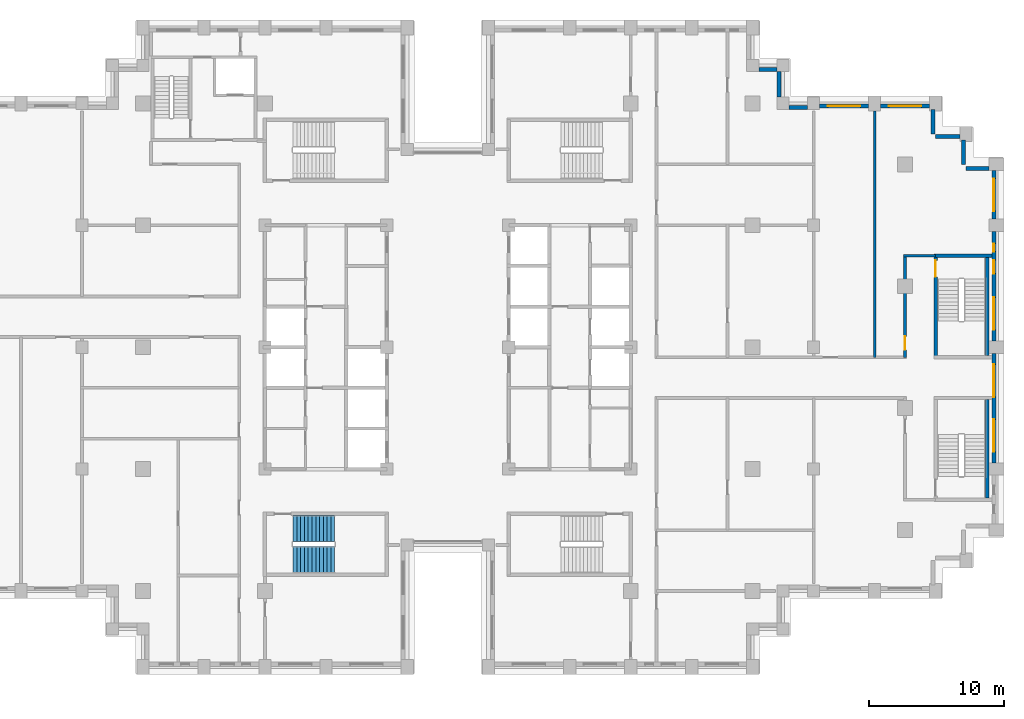
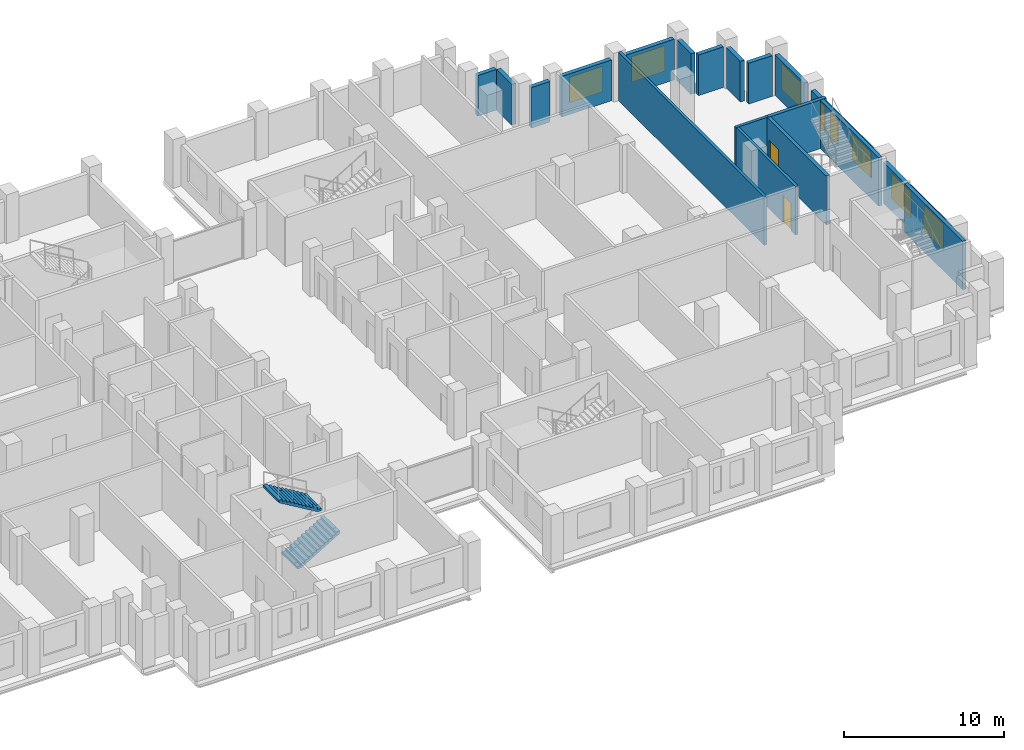
# One storey, part 12 of 15: 19 walls, 8 windows, 2 doors, 2 stair flights, 10 openings, 1 element without a shape of its own.
"""IFC4 building model written with IfcOpenShell, lengths in metres."""

from ifc_helpers import new_model, si_unit, direction, frame, frame_2d, origin, place, context, subcontext, project, spatial, polyline, rectangle, outline, extrude, material, layer, layer_set, type_object, element, fill, aggregate, save


model = new_model("IFC4")

# Units and contexts
model_context = context("Model", 3, precision=1e-05, world=origin(), true_north=direction((0.0, 1.0)))
body_context = subcontext(model_context, "Body", "Model", "MODEL_VIEW")
ifc_project = project(units=[si_unit("LENGTHUNIT", "METRE"), si_unit("AREAUNIT", "SQUARE_METRE"), si_unit("VOLUMEUNIT", "CUBIC_METRE"), si_unit("PLANEANGLEUNIT", "RADIAN"), si_unit("MASSUNIT", "GRAM", prefix="KILO")], contexts=[model_context])

# Site, building, storey
site_placement = place(None, origin())
site = spatial("IfcSite", under=ifc_project, at=site_placement, CompositionType="ELEMENT")
building_placement = place(site_placement, origin())
building = spatial("IfcBuilding", under=site, at=building_placement, Name="Corbelhall Arena Tower", CompositionType="ELEMENT")
storey_placement = place(building_placement, frame((0.0, 0.0, 134.0)))
storey = spatial("IfcBuildingStorey", under=building, at=storey_placement, Name="L25", CompositionType="ELEMENT", Elevation=134.0)

# Walls
ifc_material_1 = material(Name="Precast concrete C40/50 with granite facing", Category="masonry")
ifc_layer_1 = layer(ifc_material_1, 0.300048828125)
ifc_layer_set_1 = layer_set([ifc_layer_1], Name="EV-IW1 Infill panel 300")
wall_type_1 = type_object("IfcWallType", Name="EV-IW1 Infill panel 300", PredefinedType="SOLIDWALL", material=ifc_layer_set_1)
wall_1_placement = place(storey_placement, frame((39.949951171875, 13.199951171875, 0.0), z_axis=(0.0, 0.0, 1.0), x_axis=(-1.0, 0.0, 0.0)))
element("IfcWall", 1, at=wall_1_placement, inside=storey, type_object=wall_type_1, Name="Infill panel IW1", PredefinedType="SOLIDWALL", context=body_context, shape_type="SweptSolid", body=[
    extrude(rectangle(XDim=1.699951171875, YDim=0.300048828125, at=frame_2d((0.85009765625, 0.0))), origin(), (0.0, 0.0, 1.0), 3.10009765625),
])
for number, where, z_axis, x_axis, name in (
    (2, (38.050048828125, 15.300048828125, 0.0), (0.0, 0.0, 1.0), (0.0, -1.0, 0.0), "Infill panel IW1"),
    (3, (37.800048828125, 15.550048828125, 0.0), (0.0, 0.0, 1.0), (-1.0, 0.0, 0.0), "Infill panel IW1"),
    (4, (35.800048828125, 17.550048828125, 0.0), (0.0, 0.0, 1.0), (0.0, -1.0, 0.0), "Infill panel IW1"),
):
    element("IfcWall", number, at=place(storey_placement, frame(where, z_axis=z_axis, x_axis=x_axis)), inside=storey, type_object=wall_type_1, Name=name, PredefinedType="SOLIDWALL", context=body_context, shape_type="SweptSolid", body=[
        extrude(rectangle(XDim=1.800048828125, YDim=0.300048828125, at=frame_2d((0.89990234375, 0.0))), origin(), (0.0, 0.0, 1.0), 3.10009765625),
    ])

# Wall, openings, windows
wall_2_placement = place(storey_placement, frame((40.300048828125, -8.550048828125, 0.0), z_axis=(0.0, 0.0, 1.0), x_axis=(0.0, 1.0, 0.0)))
wall_2 = element("IfcWall", 5, at=wall_2_placement, inside=storey, type_object=wall_type_1, Name="Infill panel IW1", PredefinedType="SOLIDWALL", context=body_context, shape_type="SweptSolid", body=[
    extrude(rectangle(XDim=8.10009765625, YDim=0.300048828125, at=frame_2d((4.050048828125, 0.0))), origin(), (0.0, 0.0, 1.0), 3.10009765625),
])
opening_1_placement = place(wall_2_placement, frame((0.824951171875, 0.0, 0.800048828125)))
opening_1 = element("IfcOpeningElement", 6, at=opening_1_placement, cuts=wall_2, Name="Opening WN1", PredefinedType="OPENING", context=body_context, shape_type="SweptSolid", body=[
    extrude(rectangle(XDim=2.39990234375, YDim=1.949951171875, at=frame_2d((1.199951171875, 0.97509765625))), frame((0.0, 0.14990234375, 0.0), z_axis=(0.0, -1.0, 0.0), x_axis=(1.0, 0.0, 0.0)), (0.0, 0.0, 1.0), 0.300048828125),
])
opening_2_placement = place(wall_2_placement, frame((4.875, 0.0, 0.800048828125)))
opening_2 = element("IfcOpeningElement", 7, at=opening_2_placement, cuts=wall_2, Name="Opening WN1", PredefinedType="OPENING", context=body_context, shape_type="SweptSolid", body=[
    extrude(rectangle(XDim=2.39990234375, YDim=1.949951171875, at=frame_2d((1.199951171875, 0.97509765625))), frame((0.0, 0.14990234375, 0.0), z_axis=(0.0, -1.0, 0.0), x_axis=(1.0, 0.0, 0.0)), (0.0, 0.0, 1.0), 0.300048828125),
])
ifc_material_2 = material(Name="Aluminium black anodised", Category="aluminium")
window_type_1 = type_object("IfcWindowType", Name="EV-WN1 Office window", PartitioningType="SINGLE_PANEL", PredefinedType="WINDOW", material=ifc_material_2)
window_1_placement = place(opening_1_placement, origin())
window_1 = element("IfcWindow", 8, at=window_1_placement, inside=storey, type_object=window_type_1, Name="Window WN1", OverallHeight=1.949951171875, OverallWidth=2.39990234375, PartitioningType="SINGLE_PANEL", PredefinedType="WINDOW", context=body_context, shape_type="SweptSolid", body=[
    extrude(rectangle(XDim=2.39990234375, YDim=1.949951171875, at=frame_2d((1.199951171875, 0.97509765625))), frame((0.0, 0.030029296875, 0.0), z_axis=(0.0, -1.0, 0.0), x_axis=(1.0, 0.0, 0.0)), (0.0, 0.0, 1.0), 0.06005859375),
])
fill(opening_1, window_1)
window_2_placement = place(opening_2_placement, origin())
window_2 = element("IfcWindow", 9, at=window_2_placement, inside=storey, type_object=window_type_1, Name="Window WN1", OverallHeight=1.949951171875, OverallWidth=2.39990234375, PartitioningType="SINGLE_PANEL", PredefinedType="WINDOW", context=body_context, shape_type="SweptSolid", body=[
    extrude(rectangle(XDim=2.39990234375, YDim=1.949951171875, at=frame_2d((1.199951171875, 0.97509765625))), frame((0.0, 0.030029296875, 0.0), z_axis=(0.0, -1.0, 0.0), x_axis=(1.0, 0.0, 0.0)), (0.0, 0.0, 1.0), 0.06005859375),
])
fill(opening_2, window_2)

wall_3_placement = place(storey_placement, frame((40.300048828125, 0.449951171875, 0.0), z_axis=(0.0, 0.0, 1.0), x_axis=(0.0, 1.0, 0.0)))
wall_3 = element("IfcWall", 10, at=wall_3_placement, inside=storey, type_object=wall_type_1, Name="Infill panel IW1", PredefinedType="SOLIDWALL", context=body_context, shape_type="SweptSolid", body=[
    extrude(rectangle(XDim=8.10009765625, YDim=0.300048828125, at=frame_2d((4.050048828125, 0.0))), origin(), (0.0, 0.0, 1.0), 3.10009765625),
])
opening_3_placement = place(wall_3_placement, frame((0.824951171875, 0.0, 0.800048828125)))
opening_3 = element("IfcOpeningElement", 11, at=opening_3_placement, cuts=wall_3, Name="Opening WN1", PredefinedType="OPENING", context=body_context, shape_type="SweptSolid", body=[
    extrude(rectangle(XDim=2.39990234375, YDim=1.949951171875, at=frame_2d((1.199951171875, 0.97509765625))), frame((0.0, 0.14990234375, 0.0), z_axis=(0.0, -1.0, 0.0), x_axis=(1.0, 0.0, 0.0)), (0.0, 0.0, 1.0), 0.300048828125),
])
opening_4_placement = place(wall_3_placement, frame((4.97509765625, 0.0, 0.800048828125)))
opening_4 = element("IfcOpeningElement", 12, at=opening_4_placement, cuts=wall_3, Name="Opening WN6", PredefinedType="OPENING", context=body_context, shape_type="SweptSolid", body=[
    extrude(rectangle(XDim=1.0, YDim=1.949951171875, at=frame_2d((0.5, 0.97509765625))), frame((0.0, 0.14990234375, 0.0), z_axis=(0.0, -1.0, 0.0), x_axis=(1.0, 0.0, 0.0)), (0.0, 0.0, 1.0), 0.300048828125),
])
opening_5_placement = place(wall_3_placement, frame((6.60009765625, 0.0, 0.800048828125)))
opening_5 = element("IfcOpeningElement", 13, at=opening_5_placement, cuts=wall_3, Name="Opening WN5", PredefinedType="OPENING", context=body_context, shape_type="SweptSolid", body=[
    extrude(rectangle(XDim=0.60009765625, YDim=1.949951171875, at=frame_2d((0.300048828125, 0.97509765625))), frame((0.0, 0.14990234375, 0.0), z_axis=(0.0, -1.0, 0.0), x_axis=(1.0, 0.0, 0.0)), (0.0, 0.0, 1.0), 0.300048828125),
])
window_3_placement = place(opening_3_placement, origin())
window_3 = element("IfcWindow", 14, at=window_3_placement, inside=storey, type_object=window_type_1, Name="Window WN1", OverallHeight=1.949951171875, OverallWidth=2.39990234375, PartitioningType="SINGLE_PANEL", PredefinedType="WINDOW", context=body_context, shape_type="SweptSolid", body=[
    extrude(rectangle(XDim=2.39990234375, YDim=1.949951171875, at=frame_2d((1.199951171875, 0.97509765625))), frame((0.0, 0.030029296875, 0.0), z_axis=(0.0, -1.0, 0.0), x_axis=(1.0, 0.0, 0.0)), (0.0, 0.0, 1.0), 0.06005859375),
])
fill(opening_3, window_3)
window_type_2 = type_object("IfcWindowType", Name="EV-WN5 Office window 600", PartitioningType="SINGLE_PANEL", PredefinedType="WINDOW", material=ifc_material_2)
window_4_placement = place(opening_5_placement, origin())
window_4 = element("IfcWindow", 15, at=window_4_placement, inside=storey, type_object=window_type_2, Name="Window WN5", OverallHeight=1.949951171875, OverallWidth=0.60009765625, PartitioningType="SINGLE_PANEL", PredefinedType="WINDOW", context=body_context, shape_type="SweptSolid", body=[
    extrude(rectangle(XDim=0.60009765625, YDim=1.949951171875, at=frame_2d((0.300048828125, 0.97509765625))), frame((0.0, 0.030029296875, 0.0), z_axis=(0.0, -1.0, 0.0), x_axis=(1.0, 0.0, 0.0)), (0.0, 0.0, 1.0), 0.06005859375),
])
fill(opening_5, window_4)
window_type_3 = type_object("IfcWindowType", Name="EV-WN6 Office window 1000", PartitioningType="SINGLE_PANEL", PredefinedType="WINDOW", material=ifc_material_2)
window_5_placement = place(opening_4_placement, origin())
window_5 = element("IfcWindow", 16, at=window_5_placement, inside=storey, type_object=window_type_3, Name="Window WN6", OverallHeight=1.949951171875, OverallWidth=1.0, PartitioningType="SINGLE_PANEL", PredefinedType="WINDOW", context=body_context, shape_type="SweptSolid", body=[
    extrude(rectangle(XDim=1.0, YDim=1.949951171875, at=frame_2d((0.5, 0.97509765625))), frame((0.0, 0.030029296875, 0.0), z_axis=(0.0, -1.0, 0.0), x_axis=(1.0, 0.0, 0.0)), (0.0, 0.0, 1.0), 0.06005859375),
])
fill(opening_4, window_5)

# Wall, opening, window
wall_4_placement = place(storey_placement, frame((40.300048828125, 9.449951171875, 0.0), z_axis=(0.0, 0.0, 1.0), x_axis=(0.0, 1.0, 0.0)))
wall_4 = element("IfcWall", 17, at=wall_4_placement, inside=storey, type_object=wall_type_1, Name="Infill panel IW1", PredefinedType="SOLIDWALL", context=body_context, shape_type="SweptSolid", body=[
    extrude(rectangle(XDim=3.60009765625, YDim=0.300048828125, at=frame_2d((1.800048828125, 0.0))), origin(), (0.0, 0.0, 1.0), 3.10009765625),
])
opening_6_placement = place(wall_4_placement, frame((0.60009765625, 0.0, 0.800048828125)))
opening_6 = element("IfcOpeningElement", 18, at=opening_6_placement, cuts=wall_4, Name="Opening WN1", PredefinedType="OPENING", context=body_context, shape_type="SweptSolid", body=[
    extrude(rectangle(XDim=2.39990234375, YDim=1.949951171875, at=frame_2d((1.199951171875, 0.97509765625))), frame((0.0, 0.14990234375, 0.0), z_axis=(0.0, -1.0, 0.0), x_axis=(1.0, 0.0, 0.0)), (0.0, 0.0, 1.0), 0.300048828125),
])
window_6_placement = place(opening_6_placement, origin())
window_6 = element("IfcWindow", 19, at=window_6_placement, inside=storey, type_object=window_type_1, Name="Window WN1", OverallHeight=1.949951171875, OverallWidth=2.39990234375, PartitioningType="SINGLE_PANEL", PredefinedType="WINDOW", context=body_context, shape_type="SweptSolid", body=[
    extrude(rectangle(XDim=2.39990234375, YDim=1.949951171875, at=frame_2d((1.199951171875, 0.97509765625))), frame((0.0, 0.030029296875, 0.0), z_axis=(0.0, -1.0, 0.0), x_axis=(1.0, 0.0, 0.0)), (0.0, 0.0, 1.0), 0.06005859375),
])
fill(opening_6, window_6)

wall_5_placement = place(storey_placement, frame((35.550048828125, 17.800048828125, 0.0), z_axis=(0.0, 0.0, 1.0), x_axis=(-1.0, 0.0, 0.0)))
wall_5 = element("IfcWall", 20, at=wall_5_placement, inside=storey, type_object=wall_type_1, Name="Infill panel IW1", PredefinedType="SOLIDWALL", context=body_context, shape_type="SweptSolid", body=[
    extrude(rectangle(XDim=3.60009765625, YDim=0.300048828125, at=frame_2d((1.800048828125, 0.0))), origin(), (0.0, 0.0, 1.0), 3.10009765625),
])
opening_7_placement = place(wall_5_placement, frame((0.60009765625, 0.0, 0.800048828125)))
opening_7 = element("IfcOpeningElement", 21, at=opening_7_placement, cuts=wall_5, Name="Opening WN1", PredefinedType="OPENING", context=body_context, shape_type="SweptSolid", body=[
    extrude(rectangle(XDim=2.39990234375, YDim=1.949951171875, at=frame_2d((1.199951171875, 0.97509765625))), frame((0.0, 0.14990234375, 0.0), z_axis=(0.0, -1.0, 0.0), x_axis=(1.0, 0.0, 0.0)), (0.0, 0.0, 1.0), 0.300048828125),
])
window_7_placement = place(opening_7_placement, origin())
window_7 = element("IfcWindow", 22, at=window_7_placement, inside=storey, type_object=window_type_1, Name="Window WN1", OverallHeight=1.949951171875, OverallWidth=2.39990234375, PartitioningType="SINGLE_PANEL", PredefinedType="WINDOW", context=body_context, shape_type="SweptSolid", body=[
    extrude(rectangle(XDim=2.39990234375, YDim=1.949951171875, at=frame_2d((1.199951171875, 0.97509765625))), frame((0.0, 0.030029296875, 0.0), z_axis=(0.0, -1.0, 0.0), x_axis=(1.0, 0.0, 0.0)), (0.0, 0.0, 1.0), 0.06005859375),
])
fill(opening_7, window_7)

wall_6_placement = place(storey_placement, frame((31.050048828125, 17.800048828125, 0.0), z_axis=(0.0, 0.0, 1.0), x_axis=(-1.0, 0.0, 0.0)))
wall_6 = element("IfcWall", 23, at=wall_6_placement, inside=storey, type_object=wall_type_1, Name="Infill panel IW1", PredefinedType="SOLIDWALL", context=body_context, shape_type="SweptSolid", body=[
    extrude(rectangle(XDim=3.60009765625, YDim=0.300048828125, at=frame_2d((1.800048828125, 0.0))), origin(), (0.0, 0.0, 1.0), 3.10009765625),
])
opening_8_placement = place(wall_6_placement, frame((0.60009765625, 0.0, 0.800048828125)))
opening_8 = element("IfcOpeningElement", 24, at=opening_8_placement, cuts=wall_6, Name="Opening WN1", PredefinedType="OPENING", context=body_context, shape_type="SweptSolid", body=[
    extrude(rectangle(XDim=2.39990234375, YDim=1.949951171875, at=frame_2d((1.199951171875, 0.97509765625))), frame((0.0, 0.14990234375, 0.0), z_axis=(0.0, -1.0, 0.0), x_axis=(1.0, 0.0, 0.0)), (0.0, 0.0, 1.0), 0.300048828125),
])
window_8_placement = place(opening_8_placement, origin())
window_8 = element("IfcWindow", 25, at=window_8_placement, inside=storey, type_object=window_type_1, Name="Window WN1", OverallHeight=1.949951171875, OverallWidth=2.39990234375, PartitioningType="SINGLE_PANEL", PredefinedType="WINDOW", context=body_context, shape_type="SweptSolid", body=[
    extrude(rectangle(XDim=2.39990234375, YDim=1.949951171875, at=frame_2d((1.199951171875, 0.97509765625))), frame((0.0, 0.030029296875, 0.0), z_axis=(0.0, -1.0, 0.0), x_axis=(1.0, 0.0, 0.0)), (0.0, 0.0, 1.0), 0.06005859375),
])
fill(opening_8, window_8)

# Walls
wall_7_placement = place(storey_placement, frame((26.550048828125, 17.699951171875, 0.0), z_axis=(0.0, 0.0, 1.0), x_axis=(-1.0, 0.0, 0.0)))
element("IfcWall", 26, at=wall_7_placement, inside=storey, type_object=wall_type_1, Name="Infill panel IW1", PredefinedType="SOLIDWALL", context=body_context, shape_type="SweptSolid", body=[
    extrude(rectangle(XDim=1.35009765625, YDim=0.300048828125, at=frame_2d((0.675048828125, 0.0))), origin(), (0.0, 0.0, 1.0), 3.10009765625),
])
wall_8_placement = place(storey_placement, frame((24.449951171875, 18.449951171875, 0.0), z_axis=(0.0, 0.0, 1.0), x_axis=(0.0, 1.0, 0.0)))
element("IfcWall", 27, at=wall_8_placement, inside=storey, type_object=wall_type_1, Name="Infill panel IW1", PredefinedType="SOLIDWALL", context=body_context, shape_type="SweptSolid", body=[
    extrude(rectangle(XDim=1.900146484375, YDim=0.300048828125, at=frame_2d((0.9501953125, 0.0))), origin(), (0.0, 0.0, 1.0), 3.10009765625),
])
wall_9_placement = place(storey_placement, frame((24.300048828125, 20.5, 0.0), z_axis=(0.0, 0.0, 1.0), x_axis=(-1.0, 0.0, 0.0)))
element("IfcWall", 28, at=wall_9_placement, inside=storey, type_object=wall_type_1, Name="Infill panel IW1", PredefinedType="SOLIDWALL", context=body_context, shape_type="SweptSolid", body=[
    extrude(rectangle(XDim=1.35009765625, YDim=0.300048828125, at=frame_2d((0.675048828125, 0.0))), origin(), (0.0, 0.0, 1.0), 3.10009765625),
])
ifc_material_3 = material(Name="Gypsum board on steel stud, acoustic", Category="steel")
ifc_layer_2 = layer(ifc_material_3, 0.199951171875)
ifc_layer_set_2 = layer_set([ifc_layer_2], Name="IN-W-DM200")
wall_type_2 = type_object("IfcWallType", Name="IN-W-DM200", PredefinedType="PARTITIONING", material=ifc_layer_set_2)
wall_10_placement = place(storey_placement, frame((31.5, 17.449951171875, 0.0), z_axis=(0.0, 0.0, 1.0), x_axis=(0.0, -1.0, 0.0)))
element("IfcWall", 29, at=wall_10_placement, inside=storey, type_object=wall_type_2, Name="Partition 042", PredefinedType="PARTITIONING", context=body_context, shape_type="SweptSolid", body=[
    extrude(rectangle(XDim=18.199951171875, YDim=0.199951171875, at=frame_2d((9.10009765625, 0.0))), origin(), (0.0, 0.0, 1.0), 3.699951171875),
])
wall_11_placement = place(storey_placement, frame((33.64990234375, 6.75, 0.0), z_axis=(0.0, 0.0, 1.0), x_axis=(1.0, 0.0, 0.0)))
element("IfcWall", 30, at=wall_11_placement, inside=storey, type_object=wall_type_2, Name="Partition 043", PredefinedType="PARTITIONING", context=body_context, shape_type="SweptSolid", body=[
    extrude(rectangle(XDim=2.35009765625, YDim=0.199951171875, at=frame_2d((1.175048828125, 0.0))), origin(), (0.0, 0.0, 1.0), 3.699951171875),
])

# Wall, opening, door
wall_12_placement = place(storey_placement, frame((33.75, -0.75, 0.0), z_axis=(0.0, 0.0, 1.0), x_axis=(0.0, 1.0, 0.0)))
wall_12 = element("IfcWall", 31, at=wall_12_placement, inside=storey, type_object=wall_type_2, Name="Partition 045", PredefinedType="PARTITIONING", context=body_context, shape_type="SweptSolid", body=[
    extrude(rectangle(XDim=7.5, YDim=0.199951171875, at=frame_2d((3.75, 0.0))), origin(), (0.0, 0.0, 1.0), 3.699951171875),
])
opening_9_placement = place(wall_12_placement, frame((0.550048828125, 0.0, 0.0)))
opening_9 = element("IfcOpeningElement", 32, at=opening_9_placement, cuts=wall_12, Name="Opening 06047", PredefinedType="OPENING", context=body_context, shape_type="SweptSolid", body=[
    extrude(rectangle(XDim=1.0, YDim=2.10009765625, at=frame_2d((0.5, 1.050048828125))), frame((0.0, 0.10009765625, 0.0), z_axis=(0.0, -1.0, 0.0), x_axis=(1.0, 0.0, 0.0)), (0.0, 0.0, 1.0), 0.199951171875),
])
ifc_material_4 = material(Name="Steel door set", Category="steel")
door_type_1 = type_object("IfcDoorType", Name="IN-D-SW100", OperationType="NOTDEFINED", PredefinedType="DOOR", material=ifc_material_4)
door_1_placement = place(opening_9_placement, origin())
door_1 = element("IfcDoor", 33, at=door_1_placement, inside=storey, type_object=door_type_1, Name="Door 047", OperationType="SINGLE_SWING_RIGHT", OverallHeight=2.10009765625, OverallWidth=1.0, PredefinedType="DOOR", context=body_context, shape_type="SweptSolid", body=[
    extrude(rectangle(XDim=1.0, YDim=2.10009765625, at=frame_2d((0.5, 1.050048828125))), frame((0.0, 0.02490234375, 0.0), z_axis=(0.0, -1.0, 0.0), x_axis=(1.0, 0.0, 0.0)), (0.0, 0.0, 1.0), 0.050048828125),
])
fill(opening_9, door_1)

ifc_material_5 = material(Name="Concrete C40/50", Category="concrete")
ifc_layer_3 = layer(ifc_material_5, 0.25)
ifc_layer_set_3 = layer_set([ifc_layer_3], Name="IN-W-ST250")
wall_type_3 = type_object("IfcWallType", Name="IN-W-ST250", PredefinedType="SOLIDWALL", material=ifc_layer_set_3)
wall_13_placement = place(storey_placement, frame((36.0, -0.75, 0.0), z_axis=(0.0, 0.0, 1.0), x_axis=(0.0, 1.0, 0.0)))
wall_13 = element("IfcWall", 34, at=wall_13_placement, inside=storey, type_object=wall_type_3, Name="Shaft wall 110", PredefinedType="SOLIDWALL", context=body_context, shape_type="SweptSolid", body=[
    extrude(rectangle(XDim=7.625, YDim=0.25, at=frame_2d((3.8125, 0.0))), origin(), (0.0, 0.0, 1.0), 3.699951171875),
])
opening_10_placement = place(wall_13_placement, frame((5.949951171875, 0.0, 0.0)))
opening_10 = element("IfcOpeningElement", 35, at=opening_10_placement, cuts=wall_13, Name="Opening 06022", PredefinedType="OPENING", context=body_context, shape_type="SweptSolid", body=[
    extrude(rectangle(XDim=1.199951171875, YDim=2.10009765625, at=frame_2d((0.60009765625, 1.050048828125))), frame((0.0, 0.125, 0.0), z_axis=(0.0, -1.0, 0.0), x_axis=(1.0, 0.0, 0.0)), (0.0, 0.0, 1.0), 0.25),
])
door_type_2 = type_object("IfcDoorType", Name="IN-D-ST120", OperationType="NOTDEFINED", PredefinedType="DOOR", material=ifc_material_4)
door_2_placement = place(opening_10_placement, origin())
door_2 = element("IfcDoor", 36, at=door_2_placement, inside=storey, type_object=door_type_2, Name="Door 022", OperationType="SINGLE_SWING_LEFT", OverallHeight=2.10009765625, OverallWidth=1.199951171875, PredefinedType="DOOR", context=body_context, shape_type="SweptSolid", body=[
    extrude(rectangle(XDim=1.199951171875, YDim=2.10009765625, at=frame_2d((0.60009765625, 1.050048828125))), frame((0.0, 0.02490234375, 0.0), z_axis=(0.0, -1.0, 0.0), x_axis=(1.0, 0.0, 0.0)), (0.0, 0.0, 1.0), 0.050048828125),
])
fill(opening_10, door_2)

# Walls
wall_14_placement = place(storey_placement, frame((36.0, 6.75, 0.0), z_axis=(0.0, 0.0, 1.0), x_axis=(1.0, 0.0, 0.0)))
element("IfcWall", 37, at=wall_14_placement, inside=storey, type_object=wall_type_3, Name="Shaft wall 111", PredefinedType="SOLIDWALL", context=body_context, shape_type="SweptSolid", body=[
    extrude(rectangle(XDim=4.14990234375, YDim=0.25, at=frame_2d((2.074951171875, 0.0))), origin(), (0.0, 0.0, 1.0), 3.699951171875),
])
for number, where, z_axis, x_axis, name in (
    (38, (39.824951171875, -11.125, 0.0), (0.0, 0.0, 1.0), (0.0, 1.0, 0.0), "Shaft wall SD1 facade side"),
    (39, (39.824951171875, -0.625, 0.0), (0.0, 0.0, 1.0), (0.0, 1.0, 0.0), "Shaft wall SD2 facade side"),
):
    element("IfcWall", number, at=place(storey_placement, frame(where, z_axis=z_axis, x_axis=x_axis)), inside=storey, type_object=wall_type_3, Name=name, PredefinedType="SOLIDWALL", context=body_context, shape_type="SweptSolid", body=[
        extrude(rectangle(XDim=7.25, YDim=0.25, at=frame_2d((3.625, 0.0))), origin(), (0.0, 0.0, 1.0), 3.699951171875),
    ])

# Stair, stair flights
stair_type = type_object("IfcStairType", Name="IN-ST-TOWER", PredefinedType="HALF_TURN_STAIR", material=ifc_material_5)
stair_placement = place(storey_placement, origin())
stair = element("IfcStair", 40, at=stair_placement, inside=storey, type_object=stair_type, Name="L25 Exit stair ST2", PredefinedType="HALF_TURN_STAIR")
stair_flight_type = type_object("IfcStairFlightType", Name="IN-SFL-RC", PredefinedType="STRAIGHT", material=ifc_material_5)
stair_flight_1_placement = place(storey_placement, frame((-11.425048828125, -15.699951171875, 0.0), z_axis=(0.0, 0.0, 1.0), x_axis=(1.0, 0.0, 0.0)))
stair_flight_1 = element("IfcStairFlight", 41, at=stair_flight_1_placement, type_object=stair_flight_type, Name="ST2 flight 1", NumberOfRisers=12, NumberOfTreads=11, PredefinedType="STRAIGHT", RiserHeight=0.166666667, TreadLength=0.28, context=body_context, shape_type="SweptSolid", body=[
    extrude(outline(polyline([(0.0, 0.0), (0.0, 0.166748046875), (0.280029296875, 0.166748046875), (0.280029296875, 0.333251953125), (0.56005859375, 0.333251953125), (0.56005859375, 0.5), (0.840087890625, 0.5), (0.840087890625, 0.666748046875), (1.1201171875, 0.666748046875), (1.1201171875, 0.833251953125), (1.39990234375, 0.833251953125), (1.39990234375, 1.0), (1.679931640625, 1.0), (1.679931640625, 1.166748046875), (1.9599609375, 1.166748046875), (1.9599609375, 1.333251953125), (2.239990234375, 1.333251953125), (2.239990234375, 1.5), (2.52001953125, 1.5), (2.52001953125, 1.666748046875), (2.800048828125, 1.666748046875), (2.800048828125, 1.833251953125), (3.080078125, 1.833251953125), (3.080078125, 2.0), (3.080078125, 1.658935546875), (0.29296875, 0.0), (0.0, 0.0)])), frame((0.0, 0.97509765625, 0.0), z_axis=(0.0, -1.0, 0.0), x_axis=(1.0, 0.0, 0.0)), (0.0, 0.0, 1.0), 0.449951171875),
    extrude(outline(polyline([(0.0, 0.0), (0.0, 0.166748046875), (0.280029296875, 0.166748046875), (0.280029296875, 0.333251953125), (0.56005859375, 0.333251953125), (0.56005859375, 0.5), (0.840087890625, 0.5), (0.840087890625, 0.666748046875), (1.1201171875, 0.666748046875), (1.1201171875, 0.833251953125), (1.39990234375, 0.833251953125), (1.39990234375, 1.0), (1.679931640625, 1.0), (1.679931640625, 1.166748046875), (1.9599609375, 1.166748046875), (1.9599609375, 1.333251953125), (2.239990234375, 1.333251953125), (2.239990234375, 1.5), (2.52001953125, 1.5), (2.52001953125, 1.666748046875), (2.800048828125, 1.666748046875), (2.800048828125, 1.833251953125), (3.080078125, 1.833251953125), (3.080078125, 2.0), (3.080078125, 1.658935546875), (0.29296875, 0.0), (0.0, 0.0)])), frame((0.0, 0.52099609375, 0.0), z_axis=(0.0, -1.0, 0.0), x_axis=(1.0, 0.0, 0.0)), (0.0, 0.0, 1.0), 1.0419921875),
    extrude(outline(polyline([(0.0, 0.0), (0.0, 0.166748046875), (0.280029296875, 0.166748046875), (0.280029296875, 0.333251953125), (0.56005859375, 0.333251953125), (0.56005859375, 0.5), (0.840087890625, 0.5), (0.840087890625, 0.666748046875), (1.1201171875, 0.666748046875), (1.1201171875, 0.833251953125), (1.39990234375, 0.833251953125), (1.39990234375, 1.0), (1.679931640625, 1.0), (1.679931640625, 1.166748046875), (1.9599609375, 1.166748046875), (1.9599609375, 1.333251953125), (2.239990234375, 1.333251953125), (2.239990234375, 1.5), (2.52001953125, 1.5), (2.52001953125, 1.666748046875), (2.800048828125, 1.666748046875), (2.800048828125, 1.833251953125), (3.080078125, 1.833251953125), (3.080078125, 2.0), (3.080078125, 1.658935546875), (0.29296875, 0.0), (0.0, 0.0)])), frame((0.0, -0.52490234375, 0.0), z_axis=(0.0, -1.0, 0.0), x_axis=(1.0, 0.0, 0.0)), (0.0, 0.0, 1.0), 0.449951171875),
])
stair_flight_2_placement = place(storey_placement, frame((-8.344970703125, -13.39990234375, 2.0), z_axis=(0.0, 0.0, 1.0), x_axis=(-1.0, 0.0, 0.0)))
stair_flight_2 = element("IfcStairFlight", 42, at=stair_flight_2_placement, type_object=stair_flight_type, Name="ST2 flight 2", NumberOfRisers=12, NumberOfTreads=11, PredefinedType="STRAIGHT", RiserHeight=0.166666667, TreadLength=0.28, context=body_context, shape_type="SweptSolid", body=[
    extrude(outline(polyline([(0.0, 0.0), (0.0, 0.166748046875), (0.280029296875, 0.166748046875), (0.280029296875, 0.333251953125), (0.56005859375, 0.333251953125), (0.56005859375, 0.5), (0.840087890625, 0.5), (0.840087890625, 0.666748046875), (1.1201171875, 0.666748046875), (1.1201171875, 0.833251953125), (1.39990234375, 0.833251953125), (1.39990234375, 1.0), (1.679931640625, 1.0), (1.679931640625, 1.166748046875), (1.9599609375, 1.166748046875), (1.9599609375, 1.333251953125), (2.239990234375, 1.333251953125), (2.239990234375, 1.5), (2.52001953125, 1.5), (2.52001953125, 1.666748046875), (2.800048828125, 1.666748046875), (2.800048828125, 1.833251953125), (3.080078125, 1.833251953125), (3.080078125, 2.0), (3.080078125, 1.658935546875), (0.29296875, 0.0), (0.0, 0.0)])), frame((0.0, 0.97509765625, 0.0), z_axis=(0.0, -1.0, 0.0), x_axis=(1.0, 0.0, 0.0)), (0.0, 0.0, 1.0), 0.449951171875),
    extrude(outline(polyline([(0.0, 0.0), (0.0, 0.166748046875), (0.280029296875, 0.166748046875), (0.280029296875, 0.333251953125), (0.56005859375, 0.333251953125), (0.56005859375, 0.5), (0.840087890625, 0.5), (0.840087890625, 0.666748046875), (1.1201171875, 0.666748046875), (1.1201171875, 0.833251953125), (1.39990234375, 0.833251953125), (1.39990234375, 1.0), (1.679931640625, 1.0), (1.679931640625, 1.166748046875), (1.9599609375, 1.166748046875), (1.9599609375, 1.333251953125), (2.239990234375, 1.333251953125), (2.239990234375, 1.5), (2.52001953125, 1.5), (2.52001953125, 1.666748046875), (2.800048828125, 1.666748046875), (2.800048828125, 1.833251953125), (3.080078125, 1.833251953125), (3.080078125, 2.0), (3.080078125, 1.658935546875), (0.29296875, 0.0), (0.0, 0.0)])), frame((0.0, 0.52099609375, 0.0), z_axis=(0.0, -1.0, 0.0), x_axis=(1.0, 0.0, 0.0)), (0.0, 0.0, 1.0), 1.0419921875),
    extrude(outline(polyline([(0.0, 0.0), (0.0, 0.166748046875), (0.280029296875, 0.166748046875), (0.280029296875, 0.333251953125), (0.56005859375, 0.333251953125), (0.56005859375, 0.5), (0.840087890625, 0.5), (0.840087890625, 0.666748046875), (1.1201171875, 0.666748046875), (1.1201171875, 0.833251953125), (1.39990234375, 0.833251953125), (1.39990234375, 1.0), (1.679931640625, 1.0), (1.679931640625, 1.166748046875), (1.9599609375, 1.166748046875), (1.9599609375, 1.333251953125), (2.239990234375, 1.333251953125), (2.239990234375, 1.5), (2.52001953125, 1.5), (2.52001953125, 1.666748046875), (2.800048828125, 1.666748046875), (2.800048828125, 1.833251953125), (3.080078125, 1.833251953125), (3.080078125, 2.0), (3.080078125, 1.658935546875), (0.29296875, 0.0), (0.0, 0.0)])), frame((0.0, -0.52490234375, 0.0), z_axis=(0.0, -1.0, 0.0), x_axis=(1.0, 0.0, 0.0)), (0.0, 0.0, 1.0), 0.449951171875),
])
aggregate(stair, [stair_flight_1, stair_flight_2])

save(model, "model.ifc")
